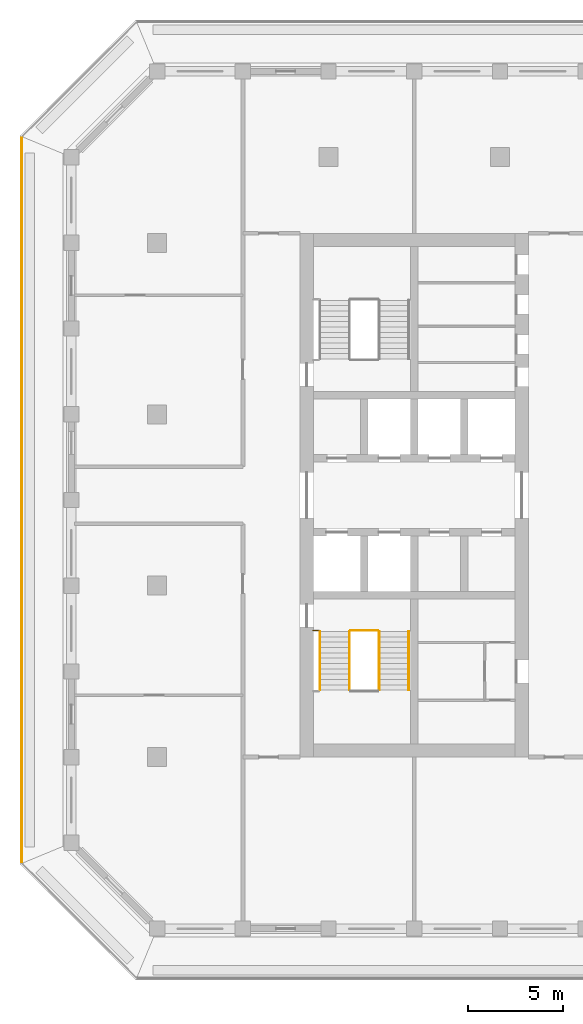
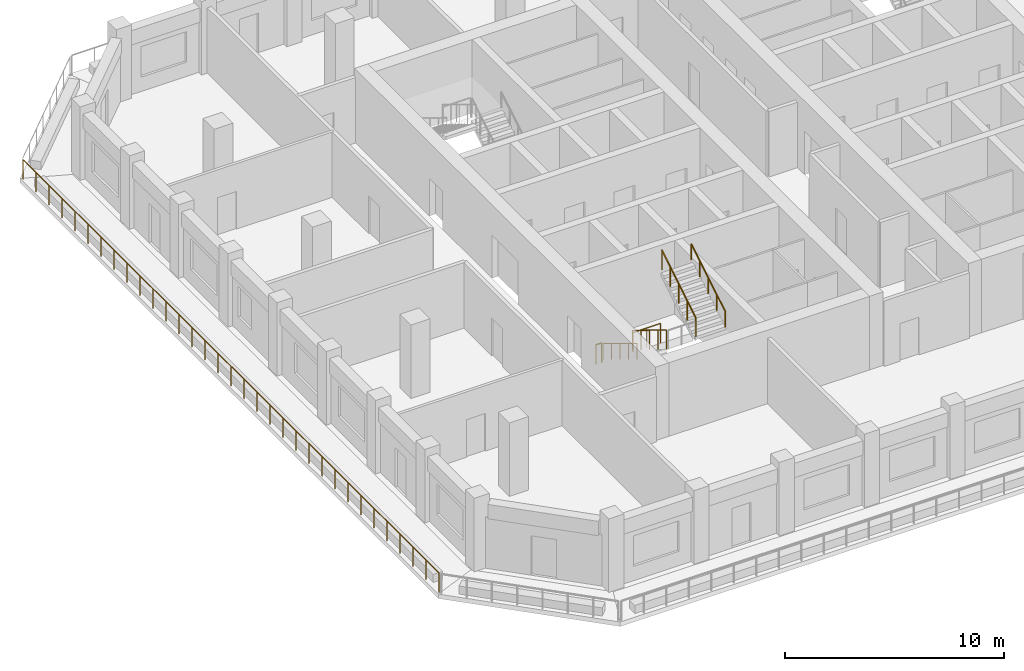
# One storey, part 9 of 14: 7 railings.
"""IFC4 building model written with IfcOpenShell, lengths in metres."""

from ifc_helpers import new_model, si_unit, direction, frame, origin, origin_2d, place, context, subcontext, project, spatial, circle, extrude, material, type_object, element, save


model = new_model("IFC4")

# Units and contexts
model_context = context("Model", 3, precision=1e-05, world=origin(), true_north=direction((0.0, 1.0)))
body_context = subcontext(model_context, "Body", "Model", "MODEL_VIEW")
ifc_project = project(units=[si_unit("LENGTHUNIT", "METRE"), si_unit("AREAUNIT", "SQUARE_METRE"), si_unit("VOLUMEUNIT", "CUBIC_METRE"), si_unit("PLANEANGLEUNIT", "RADIAN"), si_unit("MASSUNIT", "GRAM", prefix="KILO")], contexts=[model_context])

# Site, building, storey
site_placement = place(None, origin())
site = spatial("IfcSite", under=ifc_project, at=site_placement, CompositionType="ELEMENT")
building_placement = place(site_placement, origin())
building = spatial("IfcBuilding", under=site, at=building_placement, Name="Corbel Stack Research Tower", CompositionType="ELEMENT")
storey_placement = place(building_placement, frame((0.0, 0.0, 278.60009765625)))
storey = spatial("IfcBuildingStorey", under=building, at=storey_placement, Name="L63", CompositionType="ELEMENT", Elevation=278.60009765625)

# Railings
ifc_material_1 = material(Name="Steel S355", Category="steel")
railing_type_1 = type_object("IfcRailingType", Name="Stair guard 1100", PredefinedType="GUARDRAIL", material=ifc_material_1)
railing_1_placement = place(storey_placement, frame((-7.89990234375, -2.39990234375, 0.170654296875)))
element("IfcRailing", 1, at=railing_1_placement, inside=storey, type_object=railing_type_1, Name="L63 ST-W1 stair guard 1", PredefinedType="GUARDRAIL", context=body_context, shape_type="SweptSolid", body=[
    extrude(circle(Radius=0.02392578125, at=origin_2d()), frame((0.0, 0.0, 1.076171875), z_axis=(0.0, -0.853666305674, 0.52082035152), x_axis=(1.0, 0.0, 0.0)), (0.0, 0.0, 1.0), 3.608154296875),
    extrude(circle(Radius=0.02099609375, at=origin_2d()), origin(), (0.0, 0.0, 1.0), 1.052001953125),
    extrude(circle(Radius=0.02099609375, at=origin_2d()), frame((0.0, -0.77001953125, 0.4697265625)), (0.0, 0.0, 1.0), 1.052001953125),
    extrude(circle(Radius=0.02099609375, at=origin_2d()), frame((0.0, -1.5400390625, 0.939453125)), (0.0, 0.0, 1.0), 1.052001953125),
    extrude(circle(Radius=0.02099609375, at=origin_2d()), frame((0.0, -2.31005859375, 1.409423828125)), (0.0, 0.0, 1.0), 1.052001953125),
    extrude(circle(Radius=0.02099609375, at=origin_2d()), frame((0.0, -3.080078125, 1.879150390625)), (0.0, 0.0, 1.0), 1.052001953125),
])
railing_2_placement = place(storey_placement, frame((-6.35009765625, -5.47998046875, 2.220703125)))
element("IfcRailing", 2, at=railing_2_placement, inside=storey, type_object=railing_type_1, Name="L63 ST-W1 stair guard 4", PredefinedType="GUARDRAIL", context=body_context, shape_type="SweptSolid", body=[
    extrude(circle(Radius=0.02392578125, at=origin_2d()), frame((0.0, 0.0, 1.076171875), z_axis=(0.0, 0.853666305674, 0.52082035152), x_axis=(-1.0, 0.0, 0.0)), (0.0, 0.0, 1.0), 3.608154296875),
    extrude(circle(Radius=0.02099609375, at=origin_2d()), origin(), (0.0, 0.0, 1.0), 1.052001953125),
    extrude(circle(Radius=0.02099609375, at=origin_2d()), frame((0.0, 0.77001953125, 0.4697265625)), (0.0, 0.0, 1.0), 1.052001953125),
    extrude(circle(Radius=0.02099609375, at=origin_2d()), frame((0.0, 1.5400390625, 0.939453125)), (0.0, 0.0, 1.0), 1.052001953125),
    extrude(circle(Radius=0.02099609375, at=origin_2d()), frame((0.0, 2.31005859375, 1.409423828125)), (0.0, 0.0, 1.0), 1.052001953125),
    extrude(circle(Radius=0.02099609375, at=origin_2d()), frame((0.0, 3.080078125, 1.879150390625)), (0.0, 0.0, 1.0), 1.052001953125),
])
railing_3_placement = place(storey_placement, frame((-7.85009765625, -2.35009765625, 0.0)))
element("IfcRailing", 3, at=railing_3_placement, inside=storey, type_object=railing_type_1, Name="L63 ST-W1 stair guard 5", PredefinedType="GUARDRAIL", context=body_context, shape_type="SweptSolid", body=[
    extrude(circle(Radius=0.02392578125, at=origin_2d()), frame((0.0, 0.0, 1.076171875), z_axis=(1.0, 0.0, 0.0), x_axis=(0.0, 1.0, 0.0)), (0.0, 0.0, 1.0), 1.4501953125),
    extrude(circle(Radius=0.02099609375, at=origin_2d()), origin(), (0.0, 0.0, 1.0), 1.052001953125),
    extrude(circle(Radius=0.02099609375, at=origin_2d()), frame((0.72509765625, 0.0, 0.0)), (0.0, 0.0, 1.0), 1.052001953125),
    extrude(circle(Radius=0.02099609375, at=origin_2d()), frame((1.4501953125, 0.0, 0.0)), (0.0, 0.0, 1.0), 1.052001953125),
])
railing_4_placement = place(storey_placement, frame((-9.800048828125, -2.35009765625, 0.0)))
element("IfcRailing", 4, at=railing_4_placement, inside=storey, type_object=railing_type_1, Name="L63 ST-W1 stair guard 6", PredefinedType="GUARDRAIL", context=body_context, shape_type="SweptSolid", body=[
    extrude(circle(Radius=0.02392578125, at=origin_2d()), frame((0.0, 0.0, 1.076171875), z_axis=(1.0, 0.0, 0.0), x_axis=(0.0, 1.0, 0.0)), (0.0, 0.0, 1.0), 0.300048828125),
    extrude(circle(Radius=0.02099609375, at=origin_2d()), origin(), (0.0, 0.0, 1.0), 1.052001953125),
    extrude(circle(Radius=0.02099609375, at=origin_2d()), frame((0.300048828125, 0.0, 0.0)), (0.0, 0.0, 1.0), 1.052001953125),
])
ifc_material_2 = material(Name="Steel S355", Category="steel")
railing_type_2 = type_object("IfcRailingType", Name="Stair handrail 900", PredefinedType="HANDRAIL", material=ifc_material_2)
railing_5_placement = place(storey_placement, frame((-9.449951171875, -2.39990234375, 0.170654296875)))
element("IfcRailing", 5, at=railing_5_placement, inside=storey, type_object=railing_type_2, Name="L63 ST-W1 stair handrail 1", PredefinedType="HANDRAIL", context=body_context, shape_type="SweptSolid", body=[
    extrude(circle(Radius=0.02392578125, at=origin_2d()), frame((0.0, 0.0, 0.8759765625), z_axis=(0.0, -0.853666305674, 0.52082035152), x_axis=(1.0, 0.0, 0.0)), (0.0, 0.0, 1.0), 3.608154296875),
    extrude(circle(Radius=0.02099609375, at=origin_2d()), origin(), (0.0, 0.0, 1.0), 0.851806640625),
    extrude(circle(Radius=0.02099609375, at=origin_2d()), frame((0.0, -0.77001953125, 0.4697265625)), (0.0, 0.0, 1.0), 0.851806640625),
    extrude(circle(Radius=0.02099609375, at=origin_2d()), frame((0.0, -1.5400390625, 0.939453125)), (0.0, 0.0, 1.0), 0.851806640625),
    extrude(circle(Radius=0.02099609375, at=origin_2d()), frame((0.0, -2.31005859375, 1.409423828125)), (0.0, 0.0, 1.0), 0.851806640625),
    extrude(circle(Radius=0.02099609375, at=origin_2d()), frame((0.0, -3.080078125, 1.879150390625)), (0.0, 0.0, 1.0), 0.851806640625),
])
railing_6_placement = place(storey_placement, frame((-4.800048828125, -5.47998046875, 2.220703125)))
element("IfcRailing", 6, at=railing_6_placement, inside=storey, type_object=railing_type_2, Name="L63 ST-W1 stair handrail 2", PredefinedType="HANDRAIL", context=body_context, shape_type="SweptSolid", body=[
    extrude(circle(Radius=0.02392578125, at=origin_2d()), frame((0.0, 0.0, 0.8759765625), z_axis=(0.0, 0.853666305674, 0.52082035152), x_axis=(-1.0, 0.0, 0.0)), (0.0, 0.0, 1.0), 3.608154296875),
    extrude(circle(Radius=0.02099609375, at=origin_2d()), origin(), (0.0, 0.0, 1.0), 0.851806640625),
    extrude(circle(Radius=0.02099609375, at=origin_2d()), frame((0.0, 0.77001953125, 0.4697265625)), (0.0, 0.0, 1.0), 0.851806640625),
    extrude(circle(Radius=0.02099609375, at=origin_2d()), frame((0.0, 1.5400390625, 0.939453125)), (0.0, 0.0, 1.0), 0.851806640625),
    extrude(circle(Radius=0.02099609375, at=origin_2d()), frame((0.0, 2.31005859375, 1.409423828125)), (0.0, 0.0, 1.0), 0.851806640625),
    extrude(circle(Radius=0.02099609375, at=origin_2d()), frame((0.0, 3.080078125, 1.879150390625)), (0.0, 0.0, 1.0), 0.851806640625),
])
ifc_material_3 = material(Name="Powder-coated steel guard", Category="steel")
railing_type_3 = type_object("IfcRailingType", Name="Steel and glass guard 1100", PredefinedType="GUARDRAIL", material=ifc_material_3)
railing_7_placement = place(storey_placement, frame((-25.10009765625, 23.50537109375, 0.0)))
element("IfcRailing", 7, at=railing_7_placement, inside=storey, type_object=railing_type_3, Name="Loggia guard L63 W", PredefinedType="GUARDRAIL", context=body_context, shape_type="SweptSolid", body=[
    extrude(circle(Radius=0.02392578125, at=origin_2d()), frame((0.0, 0.0, 1.076171875), z_axis=(0.0, -1.0, 0.0), x_axis=(1.0, 0.0, 0.0)), (0.0, 0.0, 1.0), 38.0107421875),
    extrude(circle(Radius=0.02099609375, at=origin_2d()), origin(), (0.0, 0.0, 1.0), 1.052001953125),
    extrude(circle(Radius=0.02099609375, at=origin_2d()), frame((0.0, -1.187744140625, 0.0)), (0.0, 0.0, 1.0), 1.052001953125),
    extrude(circle(Radius=0.02099609375, at=origin_2d()), frame((0.0, -2.375732421875, 0.0)), (0.0, 0.0, 1.0), 1.052001953125),
    extrude(circle(Radius=0.02099609375, at=origin_2d()), frame((0.0, -3.5634765625, 0.0)), (0.0, 0.0, 1.0), 1.052001953125),
    extrude(circle(Radius=0.02099609375, at=origin_2d()), frame((0.0, -4.75146484375, 0.0)), (0.0, 0.0, 1.0), 1.052001953125),
    extrude(circle(Radius=0.02099609375, at=origin_2d()), frame((0.0, -5.939208984375, 0.0)), (0.0, 0.0, 1.0), 1.052001953125),
    extrude(circle(Radius=0.02099609375, at=origin_2d()), frame((0.0, -7.126953125, 0.0)), (0.0, 0.0, 1.0), 1.052001953125),
    extrude(circle(Radius=0.02099609375, at=origin_2d()), frame((0.0, -8.31494140625, 0.0)), (0.0, 0.0, 1.0), 1.052001953125),
    extrude(circle(Radius=0.02099609375, at=origin_2d()), frame((0.0, -9.502685546875, 0.0)), (0.0, 0.0, 1.0), 1.052001953125),
    extrude(circle(Radius=0.02099609375, at=origin_2d()), frame((0.0, -10.6904296875, 0.0)), (0.0, 0.0, 1.0), 1.052001953125),
    extrude(circle(Radius=0.02099609375, at=origin_2d()), frame((0.0, -11.87841796875, 0.0)), (0.0, 0.0, 1.0), 1.052001953125),
    extrude(circle(Radius=0.02099609375, at=origin_2d()), frame((0.0, -13.066162109375, 0.0)), (0.0, 0.0, 1.0), 1.052001953125),
    extrude(circle(Radius=0.02099609375, at=origin_2d()), frame((0.0, -14.25390625, 0.0)), (0.0, 0.0, 1.0), 1.052001953125),
    extrude(circle(Radius=0.02099609375, at=origin_2d()), frame((0.0, -15.44189453125, 0.0)), (0.0, 0.0, 1.0), 1.052001953125),
    extrude(circle(Radius=0.02099609375, at=origin_2d()), frame((0.0, -16.629638671875, 0.0)), (0.0, 0.0, 1.0), 1.052001953125),
    extrude(circle(Radius=0.02099609375, at=origin_2d()), frame((0.0, -17.817626953125, 0.0)), (0.0, 0.0, 1.0), 1.052001953125),
    extrude(circle(Radius=0.02099609375, at=origin_2d()), frame((0.0, -19.00537109375, 0.0)), (0.0, 0.0, 1.0), 1.052001953125),
    extrude(circle(Radius=0.02099609375, at=origin_2d()), frame((0.0, -20.193115234375, 0.0)), (0.0, 0.0, 1.0), 1.052001953125),
    extrude(circle(Radius=0.02099609375, at=origin_2d()), frame((0.0, -21.381103515625, 0.0)), (0.0, 0.0, 1.0), 1.052001953125),
    extrude(circle(Radius=0.02099609375, at=origin_2d()), frame((0.0, -22.56884765625, 0.0)), (0.0, 0.0, 1.0), 1.052001953125),
    extrude(circle(Radius=0.02099609375, at=origin_2d()), frame((0.0, -23.7568359375, 0.0)), (0.0, 0.0, 1.0), 1.052001953125),
    extrude(circle(Radius=0.02099609375, at=origin_2d()), frame((0.0, -24.944580078125, 0.0)), (0.0, 0.0, 1.0), 1.052001953125),
    extrude(circle(Radius=0.02099609375, at=origin_2d()), frame((0.0, -26.13232421875, 0.0)), (0.0, 0.0, 1.0), 1.052001953125),
    extrude(circle(Radius=0.02099609375, at=origin_2d()), frame((0.0, -27.3203125, 0.0)), (0.0, 0.0, 1.0), 1.052001953125),
    extrude(circle(Radius=0.02099609375, at=origin_2d()), frame((0.0, -28.508056640625, 0.0)), (0.0, 0.0, 1.0), 1.052001953125),
    extrude(circle(Radius=0.02099609375, at=origin_2d()), frame((0.0, -29.69580078125, 0.0)), (0.0, 0.0, 1.0), 1.052001953125),
    extrude(circle(Radius=0.02099609375, at=origin_2d()), frame((0.0, -30.8837890625, 0.0)), (0.0, 0.0, 1.0), 1.052001953125),
    extrude(circle(Radius=0.02099609375, at=origin_2d()), frame((0.0, -32.071533203125, 0.0)), (0.0, 0.0, 1.0), 1.052001953125),
    extrude(circle(Radius=0.02099609375, at=origin_2d()), frame((0.0, -33.25927734375, 0.0)), (0.0, 0.0, 1.0), 1.052001953125),
    extrude(circle(Radius=0.02099609375, at=origin_2d()), frame((0.0, -34.447265625, 0.0)), (0.0, 0.0, 1.0), 1.052001953125),
    extrude(circle(Radius=0.02099609375, at=origin_2d()), frame((0.0, -35.635009765625, 0.0)), (0.0, 0.0, 1.0), 1.052001953125),
    extrude(circle(Radius=0.02099609375, at=origin_2d()), frame((0.0, -36.822998046875, 0.0)), (0.0, 0.0, 1.0), 1.052001953125),
    extrude(circle(Radius=0.02099609375, at=origin_2d()), frame((0.0, -38.0107421875, 0.0)), (0.0, 0.0, 1.0), 1.052001953125),
])

save(model, "model.ifc")
